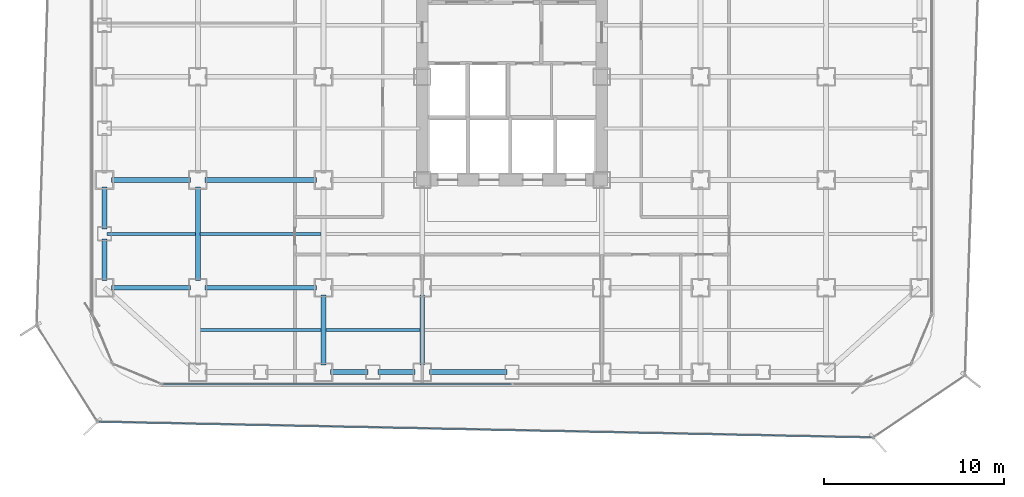
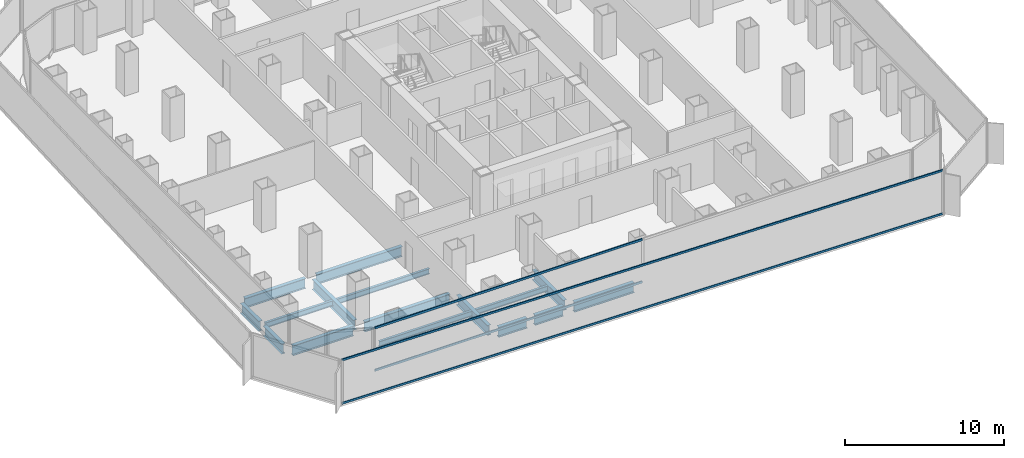
# One storey, part 3 of 21: 16 beams, 4 members, 2 elements without a shape of their own.
"""IFC4 building model written with IfcOpenShell, lengths in metres."""

from ifc_helpers import new_model, si_unit, direction, frame, origin, origin_2d, place, context, subcontext, project, spatial, hollow_rectangle, i_section, extrude, source, transform, mapped, material, layer, layer_set, material_profile, profile_set, type_object, element, aggregate, save


model = new_model("IFC4")

# Units and contexts
model_context = context("Model", 3, precision=1e-05, world=origin(), true_north=direction((0.0, 1.0)))
body_context = subcontext(model_context, "Body", "Model", "MODEL_VIEW")
ifc_project = project(units=[si_unit("LENGTHUNIT", "METRE"), si_unit("AREAUNIT", "SQUARE_METRE"), si_unit("VOLUMEUNIT", "CUBIC_METRE"), si_unit("PLANEANGLEUNIT", "RADIAN"), si_unit("MASSUNIT", "GRAM", prefix="KILO")], contexts=[model_context])

# Site, building, storey
site_placement = place(None, origin())
site = spatial("IfcSite", under=ifc_project, at=site_placement, CompositionType="ELEMENT")
building_placement = place(site_placement, origin())
building = spatial("IfcBuilding", under=site, at=building_placement, Name="Kolveth Station Tower", CompositionType="ELEMENT")
storey_placement = place(building_placement, frame((0.0, 0.0, 29.699951171875)))
storey = spatial("IfcBuildingStorey", under=building, at=storey_placement, Name="L07", CompositionType="ELEMENT", Elevation=29.699951171875)

# Beams
ifc_material_1 = material(Name="Steel S355", Category="steel")
ifc_material_profile_1 = material_profile(ifc_material_1, i_section(OverallWidth=0.26904296875, OverallDepth=0.77490234375, WebThickness=0.01708984375, FlangeThickness=0.0283203125, at=origin_2d()), Name="W760x220")
ifc_profile_set_1 = profile_set([ifc_material_profile_1], Name="Steel S355")
beam_type_1 = type_object("IfcBeamType", Name="Beam_SP1", PredefinedType="SPANDREL", material=ifc_profile_set_1)
shared_shape_1 = source(origin(), body_context, "Body", "SweptSolid", [
    extrude(i_section(OverallWidth=0.26904296875, OverallDepth=0.77490234375, WebThickness=0.01708984375, FlangeThickness=0.0283203125, at=origin_2d()), origin(), (0.0, 0.0, 1.0), 2.070068359375),
])
for number, where, z_axis, x_axis, name in (
    (1, (13.39990234375, 0.800048828125, -0.66748046875), (1.0, 0.0, 0.0), (0.0, 1.0, 0.0), "L07 Perimeter Spandrel BM-L07-PS-3"),
    (2, (16.030029296875, 0.800048828125, -0.66748046875), (1.0, 0.0, 0.0), (0.0, 1.0, 0.0), "L07 Perimeter Spandrel BM-L07-PS-4"),
):
    element("IfcBeam", number, at=place(storey_placement, frame(where, z_axis=z_axis, x_axis=x_axis)), inside=storey, type_object=beam_type_1, Name=name, PredefinedType="SPANDREL", context=body_context, shape_type="MappedRepresentation", body=[
        mapped(shared_shape_1, transform((0.0, 0.0, 0.0), x_axis=(1.0, 0.0, 0.0), y_axis=(0.0, 1.0, 0.0), z_axis=(0.0, 0.0, 1.0), scale=1.0)),
    ])
shared_shape_2 = source(origin(), body_context, "Body", "SweptSolid", [
    extrude(i_section(OverallWidth=0.26904296875, OverallDepth=0.77490234375, WebThickness=0.01708984375, FlangeThickness=0.0283203125, at=origin_2d()), origin(), (0.0, 0.0, 1.0), 4.320068359375),
])
beam_1_placement = place(storey_placement, frame((18.89990234375, 0.800048828125, -0.66748046875), z_axis=(1.0, 0.0, 0.0), x_axis=(0.0, 1.0, 0.0)))
element("IfcBeam", 3, at=beam_1_placement, inside=storey, type_object=beam_type_1, Name="L07 Perimeter Spandrel BM-L07-PS-5", PredefinedType="SPANDREL", context=body_context, shape_type="MappedRepresentation", body=[
    mapped(shared_shape_2, transform((0.0, 0.0, 0.0), x_axis=(1.0, 0.0, 0.0), y_axis=(0.0, 1.0, 0.0), z_axis=(0.0, 0.0, 1.0), scale=1.0)),
])
shared_shape_3 = source(origin(), body_context, "Body", "SweptSolid", [
    extrude(i_section(OverallWidth=0.26904296875, OverallDepth=0.77490234375, WebThickness=0.01708984375, FlangeThickness=0.0283203125, at=origin_2d()), origin(), (0.0, 0.0, 1.0), 2.320068359375),
])
for number, where, z_axis, x_axis, name in (
    (4, (0.800048828125, 5.89990234375, -0.66748046875), (0.0, 1.0, 0.0), (-1.0, 0.0, 0.0), "L07 Perimeter Spandrel BM-L07-PW-1"),
    (5, (0.800048828125, 8.780029296875, -0.66748046875), (0.0, 1.0, 0.0), (-1.0, 0.0, 0.0), "L07 Perimeter Spandrel BM-L07-PW-2"),
):
    element("IfcBeam", number, at=place(storey_placement, frame(where, z_axis=z_axis, x_axis=x_axis)), inside=storey, type_object=beam_type_1, Name=name, PredefinedType="SPANDREL", context=body_context, shape_type="MappedRepresentation", body=[
        mapped(shared_shape_3, transform((0.0, 0.0, 0.0), x_axis=(1.0, 0.0, 0.0), y_axis=(0.0, 1.0, 0.0), z_axis=(0.0, 0.0, 1.0), scale=1.0)),
    ])
ifc_material_profile_2 = material_profile(ifc_material_1, i_section(OverallWidth=0.26708984375, OverallDepth=0.76611328125, WebThickness=0.014892578125, FlangeThickness=0.023681640625, at=origin_2d()), Name="W760x185")
ifc_profile_set_2 = profile_set([ifc_material_profile_2], Name="Steel S355")
beam_type_2 = type_object("IfcBeamType", Name="Beam_B3", PredefinedType="BEAM", material=ifc_profile_set_2)
shared_shape_4 = source(origin(), body_context, "Body", "SweptSolid", [
    extrude(i_section(OverallWidth=0.26708984375, OverallDepth=0.76611328125, WebThickness=0.014892578125, FlangeThickness=0.023681640625, at=origin_2d()), origin(), (0.0, 0.0, 1.0), 4.400146484375),
])
for number, where, z_axis, x_axis, name in (
    (6, (1.199951171875, 5.5, -0.662841796875), (1.0, 0.0, 0.0), (0.0, 1.0, 0.0), "L07 Primary Girder BM-L07-GY55-1"),
    (7, (1.199951171875, 11.5, -0.662841796875), (1.0, 0.0, 0.0), (0.0, 1.0, 0.0), "L07 Primary Girder BM-L07-GY115-1"),
):
    element("IfcBeam", number, at=place(storey_placement, frame(where, z_axis=z_axis, x_axis=x_axis)), inside=storey, type_object=beam_type_2, Name=name, PredefinedType="BEAM", context=body_context, shape_type="MappedRepresentation", body=[
        mapped(shared_shape_4, transform((0.0, 0.0, 0.0), x_axis=(1.0, 0.0, 0.0), y_axis=(0.0, 1.0, 0.0), z_axis=(0.0, 0.0, 1.0), scale=1.0)),
    ])
shared_shape_5 = source(origin(), body_context, "Body", "SweptSolid", [
    extrude(i_section(OverallWidth=0.26708984375, OverallDepth=0.76611328125, WebThickness=0.014892578125, FlangeThickness=0.023681640625, at=origin_2d()), origin(), (0.0, 0.0, 1.0), 6.2001953125),
])
for number, where, z_axis, x_axis, name in (
    (8, (6.39990234375, 5.5, -0.662841796875), (1.0, 0.0, 0.0), (0.0, 1.0, 0.0), "L07 Primary Girder BM-L07-GY55-2"),
    (9, (6.39990234375, 11.5, -0.662841796875), (1.0, 0.0, 0.0), (0.0, 1.0, 0.0), "L07 Primary Girder BM-L07-GY115-2"),
):
    element("IfcBeam", number, at=place(storey_placement, frame(where, z_axis=z_axis, x_axis=x_axis)), inside=storey, type_object=beam_type_2, Name=name, PredefinedType="BEAM", context=body_context, shape_type="MappedRepresentation", body=[
        mapped(shared_shape_5, transform((0.0, 0.0, 0.0), x_axis=(1.0, 0.0, 0.0), y_axis=(0.0, 1.0, 0.0), z_axis=(0.0, 0.0, 1.0), scale=1.0)),
    ])
shared_shape_6 = source(origin(), body_context, "Body", "SweptSolid", [
    extrude(i_section(OverallWidth=0.26708984375, OverallDepth=0.76611328125, WebThickness=0.014892578125, FlangeThickness=0.023681640625, at=origin_2d()), origin(), (0.0, 0.0, 1.0), 3.900146484375),
])
for number, where, z_axis, x_axis, name in (
    (10, (13.0, 1.199951171875, -0.662841796875), (0.0, 1.0, 0.0), (-1.0, 0.0, 0.0), "L07 Primary Girder BM-L07-GX130-1"),
    (11, (18.5, 1.199951171875, -0.662841796875), (0.0, 1.0, 0.0), (-1.0, 0.0, 0.0), "L07 Primary Girder BM-L07-GX185-1"),
):
    element("IfcBeam", number, at=place(storey_placement, frame(where, z_axis=z_axis, x_axis=x_axis)), inside=storey, type_object=beam_type_2, Name=name, PredefinedType="BEAM", context=body_context, shape_type="MappedRepresentation", body=[
        mapped(shared_shape_6, transform((0.0, 0.0, 0.0), x_axis=(1.0, 0.0, 0.0), y_axis=(0.0, 1.0, 0.0), z_axis=(0.0, 0.0, 1.0), scale=1.0)),
    ])
shared_shape_7 = source(origin(), body_context, "Body", "SweptSolid", [
    extrude(i_section(OverallWidth=0.26708984375, OverallDepth=0.76611328125, WebThickness=0.014892578125, FlangeThickness=0.023681640625, at=origin_2d()), origin(), (0.0, 0.0, 1.0), 5.2001953125),
])
beam_2_placement = place(storey_placement, frame((6.0, 5.89990234375, -0.662841796875), z_axis=(0.0, 1.0, 0.0), x_axis=(-1.0, 0.0, 0.0)))
element("IfcBeam", 12, at=beam_2_placement, inside=storey, type_object=beam_type_2, Name="L07 Primary Girder BM-L07-GX60-2", PredefinedType="BEAM", context=body_context, shape_type="MappedRepresentation", body=[
    mapped(shared_shape_7, transform((0.0, 0.0, 0.0), x_axis=(1.0, 0.0, 0.0), y_axis=(0.0, 1.0, 0.0), z_axis=(0.0, 0.0, 1.0), scale=1.0)),
])
ifc_material_profile_3 = material_profile(ifc_material_1, i_section(OverallWidth=0.177978515625, OverallDepth=0.406982421875, WebThickness=0.0078125, FlangeThickness=0.0126953125, at=origin_2d()), Name="W410x60")
ifc_profile_set_3 = profile_set([ifc_material_profile_3], Name="Steel S355")
beam_type_3 = type_object("IfcBeamType", Name="Beam_J1", PredefinedType="JOIST", material=ifc_profile_set_3)
shared_shape_8 = source(origin(), body_context, "Body", "SweptSolid", [
    extrude(i_section(OverallWidth=0.177978515625, OverallDepth=0.406982421875, WebThickness=0.0078125, FlangeThickness=0.0126953125, at=origin_2d()), origin(), (0.0, 0.0, 1.0), 4.935791015625),
])
beam_3_placement = place(storey_placement, frame((0.9326171875, 8.5, -0.4833984375), z_axis=(1.0, 0.0, 0.0), x_axis=(0.0, 1.0, 0.0)))
element("IfcBeam", 13, at=beam_3_placement, inside=storey, type_object=beam_type_3, Name="L07 Secondary Joist JST-L07-1-2", PredefinedType="JOIST", context=body_context, shape_type="MappedRepresentation", body=[
    mapped(shared_shape_8, transform((0.0, 0.0, 0.0), x_axis=(1.0, 0.0, 0.0), y_axis=(0.0, 1.0, 0.0), z_axis=(0.0, 0.0, 1.0), scale=1.0)),
])
shared_shape_9 = source(origin(), body_context, "Body", "SweptSolid", [
    extrude(i_section(OverallWidth=0.177978515625, OverallDepth=0.406982421875, WebThickness=0.0078125, FlangeThickness=0.0126953125, at=origin_2d()), origin(), (0.0, 0.0, 1.0), 6.73681640625),
])
for number, where, z_axis, x_axis, name in (
    (14, (6.131591796875, 3.14990234375, -0.4833984375), (1.0, 0.0, 0.0), (0.0, 1.0, 0.0), "L07 Secondary Joist JST-L07-2-1"),
    (15, (6.131591796875, 8.5, -0.4833984375), (1.0, 0.0, 0.0), (0.0, 1.0, 0.0), "L07 Secondary Joist JST-L07-2-2"),
):
    element("IfcBeam", number, at=place(storey_placement, frame(where, z_axis=z_axis, x_axis=x_axis)), inside=storey, type_object=beam_type_3, Name=name, PredefinedType="JOIST", context=body_context, shape_type="MappedRepresentation", body=[
        mapped(shared_shape_9, transform((0.0, 0.0, 0.0), x_axis=(1.0, 0.0, 0.0), y_axis=(0.0, 1.0, 0.0), z_axis=(0.0, 0.0, 1.0), scale=1.0)),
    ])
shared_shape_10 = source(origin(), body_context, "Body", "SweptSolid", [
    extrude(i_section(OverallWidth=0.177978515625, OverallDepth=0.406982421875, WebThickness=0.0078125, FlangeThickness=0.0126953125, at=origin_2d()), origin(), (0.0, 0.0, 1.0), 5.23681640625),
])
beam_4_placement = place(storey_placement, frame((13.131591796875, 3.14990234375, -0.4833984375), z_axis=(1.0, 0.0, 0.0), x_axis=(0.0, 1.0, 0.0)))
element("IfcBeam", 16, at=beam_4_placement, inside=storey, type_object=beam_type_3, Name="L07 Secondary Joist JST-L07-3-1", PredefinedType="JOIST", context=body_context, shape_type="MappedRepresentation", body=[
    mapped(shared_shape_10, transform((0.0, 0.0, 0.0), x_axis=(1.0, 0.0, 0.0), y_axis=(0.0, 1.0, 0.0), z_axis=(0.0, 0.0, 1.0), scale=1.0)),
])

# Curtain wall, members
ifc_material_2 = material(Name="Aluminium 6063-T6 and low-E dark glass", Category="aluminium")
ifc_layer_1 = layer(ifc_material_2, 0.179931640625)
ifc_layer_set_1 = layer_set([ifc_layer_1], Name="Aluminium 6063-T6 and low-E dark glass")
curtain_wall_type_1 = type_object("IfcCurtainWallType", Name="CurtainWall_CW-Z1", PredefinedType="NOTDEFINED", material=ifc_layer_set_1)
curtain_wall_1_placement = place(storey_placement, origin())
curtain_wall_1 = element("IfcCurtainWall", 17, at=curtain_wall_1_placement, inside=storey, type_object=curtain_wall_type_1, Name="L07 Inner Thermal Curtain Wall 12", PredefinedType="NOTDEFINED")
ifc_material_3 = material(Name="Black anodized aluminium 6063-T6", Category="aluminium")
ifc_material_profile_4 = material_profile(ifc_material_3, hollow_rectangle(XDim=0.074951171875, YDim=0.159912109375, WallThickness=0.0048828125, at=origin_2d()), Name="ALU-75x160x5")
ifc_profile_set_4 = profile_set([ifc_material_profile_4], Name="Black anodized aluminium 6063-T6")
member_type_1 = type_object("IfcMemberType", Name="Transom_TR1", PredefinedType="USERDEFINED", material=ifc_profile_set_4)
shared_shape_11 = source(origin(), body_context, "Body", "SweptSolid", [
    extrude(hollow_rectangle(XDim=0.074951171875, YDim=0.159912109375, WallThickness=0.0048828125, at=origin_2d()), origin(), (0.0, 0.0, 1.0), 19.387451171875),
])
member_1_placement = place(storey_placement, frame((4.074951171875, 0.1201171875, 0.03759765625), z_axis=(1.0, 0.0, 0.0), x_axis=(0.0, 1.0, 0.0)))
member_1 = element("IfcMember", 18, at=member_1_placement, type_object=member_type_1, Name="CW-Z1 transom 1.1", ObjectType="TRANSOM", PredefinedType="USERDEFINED", context=body_context, shape_type="MappedRepresentation", body=[
    mapped(shared_shape_11, transform((0.0, 0.0, 0.0), x_axis=(1.0, 0.0, 0.0), y_axis=(0.0, 1.0, 0.0), z_axis=(0.0, 0.0, 1.0), scale=1.0)),
])
member_2_placement = place(storey_placement, frame((4.074951171875, 0.1201171875, 3.282470703125), z_axis=(1.0, 0.0, 0.0), x_axis=(0.0, 1.0, 0.0)))
member_2 = element("IfcMember", 19, at=member_2_placement, type_object=member_type_1, Name="CW-Z1 transom 1.2", ObjectType="TRANSOM", PredefinedType="USERDEFINED", context=body_context, shape_type="MappedRepresentation", body=[
    mapped(shared_shape_11, transform((0.0, 0.0, 0.0), x_axis=(1.0, 0.0, 0.0), y_axis=(0.0, 1.0, 0.0), z_axis=(0.0, 0.0, 1.0), scale=1.0)),
])
aggregate(curtain_wall_1, [member_1, member_2])

ifc_material_4 = material(Name="Black anodized aluminium 6063-T6 and dark solar glass", Category="aluminium")
ifc_layer_2 = layer(ifc_material_4, 0.159912109375)
ifc_layer_set_2 = layer_set([ifc_layer_2], Name="Black anodized aluminium 6063-T6 and dark solar glass")
curtain_wall_type_2 = type_object("IfcCurtainWallType", Name="OUTER SKIN CW-OS", PredefinedType="NOTDEFINED", material=ifc_layer_set_2)
curtain_wall_2_placement = place(storey_placement, origin())
curtain_wall_2 = element("IfcCurtainWall", 20, at=curtain_wall_2_placement, inside=storey, type_object=curtain_wall_type_2, Name="L07 Outer Ventilated Skin Curtain Wall 8", PredefinedType="NOTDEFINED")
ifc_material_profile_5 = material_profile(ifc_material_3, hollow_rectangle(XDim=0.080078125, YDim=0.14990234375, WallThickness=0.0048828125, at=origin_2d()), Name="ALU-80x150x5")
ifc_profile_set_5 = profile_set([ifc_material_profile_5], Name="Black anodized aluminium 6063-T6")
member_type_2 = type_object("IfcMemberType", Name="Transom_TR-OS", PredefinedType="USERDEFINED", material=ifc_profile_set_5)
shared_shape_12 = source(origin(), body_context, "Body", "SweptSolid", [
    extrude(hollow_rectangle(XDim=0.080078125, YDim=0.14990234375, WallThickness=0.0048828125, at=origin_2d()), origin(), (0.0, 0.0, 1.0), 43.043212890625),
])
member_3_placement = place(storey_placement, frame((0.5009765625, -1.96826171875, 0.0400390625), z_axis=(0.999793242279, -0.020334027955, 0.0), x_axis=(0.020334027955, 0.999793242279, 0.0)))
member_3 = element("IfcMember", 21, at=member_3_placement, type_object=member_type_2, Name="CW-OS transom 1.1", ObjectType="TRANSOM", PredefinedType="USERDEFINED", context=body_context, shape_type="MappedRepresentation", body=[
    mapped(shared_shape_12, transform((0.0, 0.0, 0.0), x_axis=(1.0, 0.0, 0.0), y_axis=(0.0, 1.0, 0.0), z_axis=(0.0, 0.0, 1.0), scale=1.0)),
])
member_4_placement = place(storey_placement, frame((0.5009765625, -1.96826171875, 3.35009765625), z_axis=(0.999793242279, -0.020334027955, 0.0), x_axis=(0.020334027955, 0.999793242279, 0.0)))
member_4 = element("IfcMember", 22, at=member_4_placement, type_object=member_type_2, Name="CW-OS transom 1.2", ObjectType="TRANSOM", PredefinedType="USERDEFINED", context=body_context, shape_type="MappedRepresentation", body=[
    mapped(shared_shape_12, transform((0.0, 0.0, 0.0), x_axis=(1.0, 0.0, 0.0), y_axis=(0.0, 1.0, 0.0), z_axis=(0.0, 0.0, 1.0), scale=1.0)),
])
aggregate(curtain_wall_2, [member_3, member_4])

save(model, "model.ifc")
